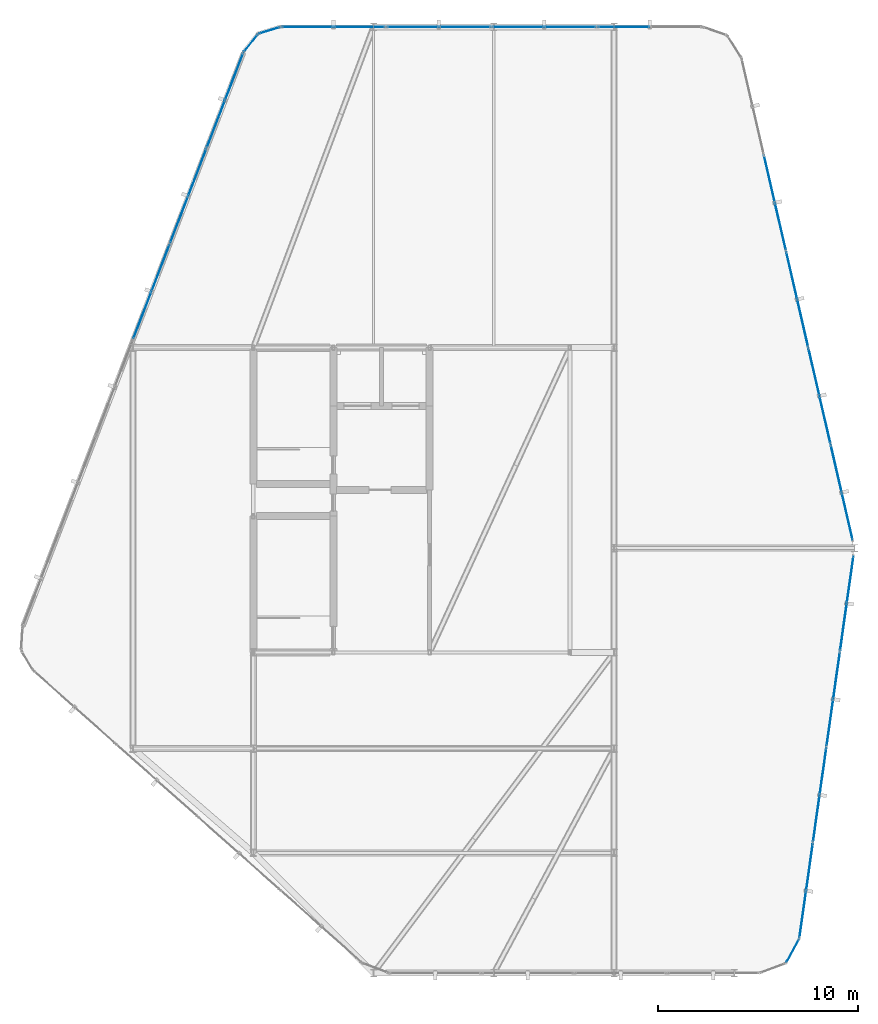
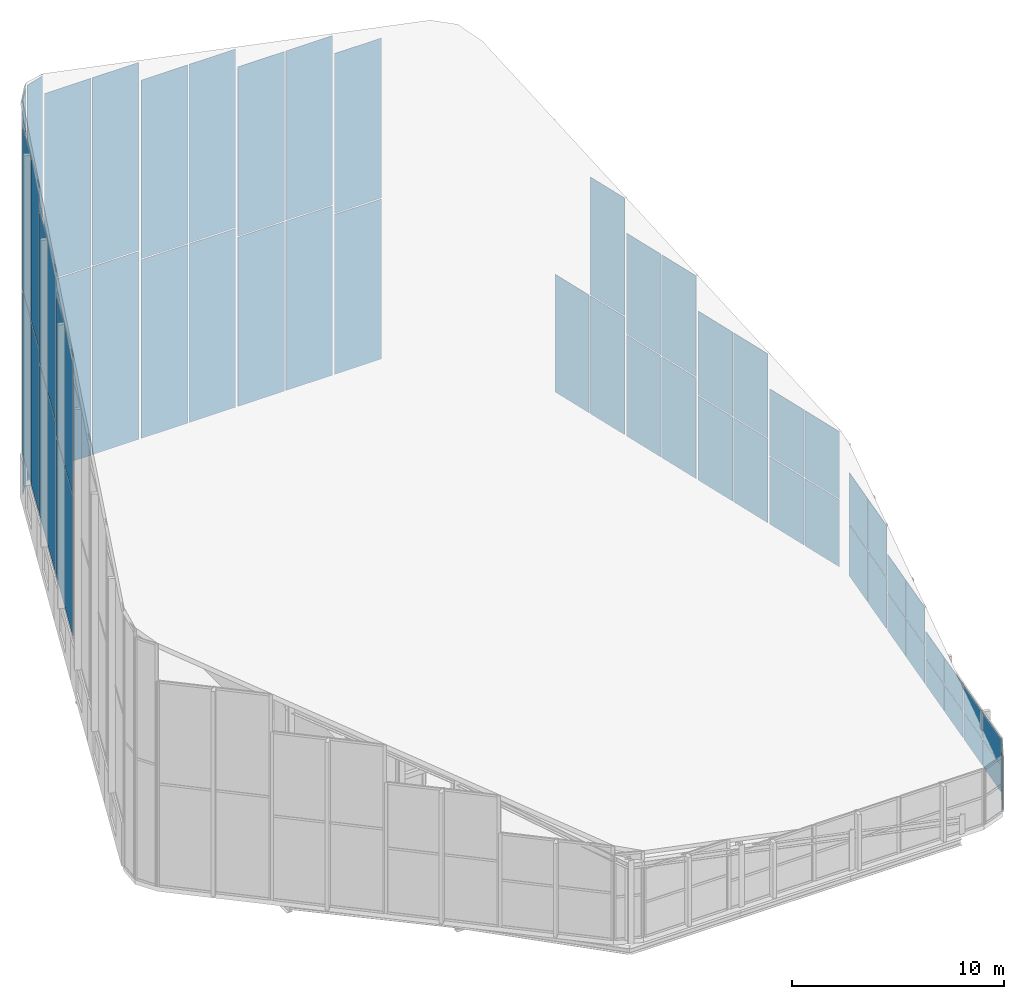
# One storey, part 72 of 74: 63 plates, 18 elements without a shape of their own.
"""IFC4 building model written with IfcOpenShell, lengths in metres."""

from ifc_helpers import new_model, si_unit, direction, frame, origin, origin_2d, place, context, subcontext, project, spatial, rectangle, extrude, material, layer, layer_set, type_object, element, aggregate, save


model = new_model("IFC4")

# Units and contexts
model_context = context("Model", 3, precision=1e-05, world=origin(), true_north=direction((0.0, 1.0)))
body_context = subcontext(model_context, "Body", "Model", "MODEL_VIEW")
ifc_project = project(units=[si_unit("LENGTHUNIT", "METRE"), si_unit("AREAUNIT", "SQUARE_METRE"), si_unit("VOLUMEUNIT", "CUBIC_METRE"), si_unit("PLANEANGLEUNIT", "RADIAN"), si_unit("MASSUNIT", "GRAM", prefix="KILO")], contexts=[model_context])

# Site, building, storey
site_placement = place(None, origin())
site = spatial("IfcSite", under=ifc_project, at=site_placement, CompositionType="ELEMENT")
building_placement = place(site_placement, origin())
building = spatial("IfcBuilding", under=site, at=building_placement, Name="Keshet Zoharim Tower", CompositionType="ELEMENT")
storey_placement = place(building_placement, frame((0.0, 0.0, 320.0)))
storey = spatial("IfcBuildingStorey", under=building, at=storey_placement, Name="RF", CompositionType="ELEMENT", Elevation=320.0)

# Curtain wall, plates
ifc_material_1 = material(Name="Aluminium 6063-T6", Category="aluminium")
ifc_layer_1 = layer(ifc_material_1, 0.260009765625)
ifc_layer_set_1 = layer_set([ifc_layer_1], Name="Aluminium 6063-T6")
curtain_wall_type = type_object("IfcCurtainWallType", Name="CW-SYS-06", PredefinedType="NOTDEFINED", material=ifc_layer_set_1)
curtain_wall_1_placement = place(storey_placement, origin())
curtain_wall_1 = element("IfcCurtainWall", 1, at=curtain_wall_1_placement, inside=storey, type_object=curtain_wall_type, Name="Slanted Crown Curtain Wall 06", PredefinedType="NOTDEFINED")
ifc_material_2 = material(Name="Insulated Low-E Clear Glass", Category="glass")
ifc_layer_2 = layer(ifc_material_2, 0.028076171875)
ifc_layer_set_2 = layer_set([ifc_layer_2], Name="Insulated Low-E Clear Glass")
plate_type = type_object("IfcPlateType", Name="CWP-03", PredefinedType="CURTAIN_PANEL", material=ifc_layer_set_2)
plate_1_placement = place(storey_placement, frame((9.466552734375, 39.513671875, 2.56494140625), z_axis=(0.0, 0.0, 1.0), x_axis=(0.359044636163, 0.933320389385, 0.0)))
plate_1 = element("IfcPlate", 2, at=plate_1_placement, type_object=plate_type, Name="CW-06 panel 1.1", PredefinedType="CURTAIN_PANEL", context=body_context, shape_type="SweptSolid", body=[
    extrude(rectangle(XDim=2.4580078125, YDim=0.028076171875, at=origin_2d()), origin(), (0.0, 0.0, 1.0), 8.056396484375),
])
plate_2_placement = place(storey_placement, frame((9.466552734375, 39.513671875, 10.6865234375), z_axis=(0.0, 0.0, 1.0), x_axis=(0.359044636163, 0.933320389385, 0.0)))
plate_2 = element("IfcPlate", 3, at=plate_2_placement, type_object=plate_type, Name="CW-06 panel 1.2", PredefinedType="CURTAIN_PANEL", context=body_context, shape_type="SweptSolid", body=[
    extrude(rectangle(XDim=2.4580078125, YDim=0.028076171875, at=origin_2d()), origin(), (0.0, 0.0, 1.0), 8.056396484375),
])
plate_3_placement = place(storey_placement, frame((10.372314453125, 41.868408203125, 2.56494140625), z_axis=(0.0, 0.0, 1.0), x_axis=(0.359044636163, 0.933320389385, 0.0)))
plate_3 = element("IfcPlate", 4, at=plate_3_placement, type_object=plate_type, Name="CW-06 panel 2.1", PredefinedType="CURTAIN_PANEL", context=body_context, shape_type="SweptSolid", body=[
    extrude(rectangle(XDim=2.4580078125, YDim=0.028076171875, at=origin_2d()), origin(), (0.0, 0.0, 1.0), 8.056396484375),
])
plate_4_placement = place(storey_placement, frame((10.372314453125, 41.868408203125, 10.6865234375), z_axis=(0.0, 0.0, 1.0), x_axis=(0.359044636163, 0.933320389385, 0.0)))
plate_4 = element("IfcPlate", 5, at=plate_4_placement, type_object=plate_type, Name="CW-06 panel 2.2", PredefinedType="CURTAIN_PANEL", context=body_context, shape_type="SweptSolid", body=[
    extrude(rectangle(XDim=2.4580078125, YDim=0.028076171875, at=origin_2d()), origin(), (0.0, 0.0, 1.0), 8.056396484375),
])
aggregate(curtain_wall_1, [plate_1, plate_2, plate_3, plate_4])

curtain_wall_2_placement = place(storey_placement, origin())
curtain_wall_2 = element("IfcCurtainWall", 6, at=curtain_wall_2_placement, inside=storey, type_object=curtain_wall_type, Name="Slanted Crown Curtain Wall 07", PredefinedType="NOTDEFINED")
plate_5_placement = place(storey_placement, frame((11.301513671875, 44.283935546875, 2.56494140625), z_axis=(0.0, 0.0, 1.0), x_axis=(0.358979079302, 0.933345606206, 0.0)))
plate_5 = element("IfcPlate", 7, at=plate_5_placement, type_object=plate_type, Name="CW-06 panel 1.1", PredefinedType="CURTAIN_PANEL", context=body_context, shape_type="SweptSolid", body=[
    extrude(rectangle(XDim=2.458251953125, YDim=0.028076171875, at=origin_2d()), origin(), (0.0, 0.0, 1.0), 8.719482421875),
])
plate_6_placement = place(storey_placement, frame((11.301513671875, 44.283935546875, 11.349609375), z_axis=(0.0, 0.0, 1.0), x_axis=(0.358979079302, 0.933345606206, 0.0)))
plate_6 = element("IfcPlate", 8, at=plate_6_placement, type_object=plate_type, Name="CW-06 panel 1.2", PredefinedType="CURTAIN_PANEL", context=body_context, shape_type="SweptSolid", body=[
    extrude(rectangle(XDim=2.458251953125, YDim=0.028076171875, at=origin_2d()), origin(), (0.0, 0.0, 1.0), 8.719482421875),
])
plate_7_placement = place(storey_placement, frame((12.20751953125, 46.63916015625, 2.56494140625), z_axis=(0.0, 0.0, 1.0), x_axis=(0.358979079302, 0.933345606206, 0.0)))
plate_7 = element("IfcPlate", 9, at=plate_7_placement, type_object=plate_type, Name="CW-06 panel 2.1", PredefinedType="CURTAIN_PANEL", context=body_context, shape_type="SweptSolid", body=[
    extrude(rectangle(XDim=2.458251953125, YDim=0.028076171875, at=origin_2d()), origin(), (0.0, 0.0, 1.0), 8.719482421875),
])
plate_8_placement = place(storey_placement, frame((12.20751953125, 46.63916015625, 11.349609375), z_axis=(0.0, 0.0, 1.0), x_axis=(0.358979079302, 0.933345606206, 0.0)))
plate_8 = element("IfcPlate", 10, at=plate_8_placement, type_object=plate_type, Name="CW-06 panel 2.2", PredefinedType="CURTAIN_PANEL", context=body_context, shape_type="SweptSolid", body=[
    extrude(rectangle(XDim=2.458251953125, YDim=0.028076171875, at=origin_2d()), origin(), (0.0, 0.0, 1.0), 8.719482421875),
])
aggregate(curtain_wall_2, [plate_5, plate_6, plate_7, plate_8])

curtain_wall_3_placement = place(storey_placement, origin())
curtain_wall_3 = element("IfcCurtainWall", 11, at=curtain_wall_3_placement, inside=storey, type_object=curtain_wall_type, Name="Slanted Crown Curtain Wall 08", PredefinedType="NOTDEFINED")
plate_9_placement = place(storey_placement, frame((13.136474609375, 49.054931640625, 2.56494140625), z_axis=(0.0, 0.0, 1.0), x_axis=(0.358979079302, 0.933345606206, 0.0)))
plate_9 = element("IfcPlate", 12, at=plate_9_placement, type_object=plate_type, Name="CW-06 panel 1.1", PredefinedType="CURTAIN_PANEL", context=body_context, shape_type="SweptSolid", body=[
    extrude(rectangle(XDim=2.458251953125, YDim=0.028076171875, at=origin_2d()), origin(), (0.0, 0.0, 1.0), 9.383544921875),
])
plate_10_placement = place(storey_placement, frame((13.136474609375, 49.054931640625, 12.013671875), z_axis=(0.0, 0.0, 1.0), x_axis=(0.358979079302, 0.933345606206, 0.0)))
plate_10 = element("IfcPlate", 13, at=plate_10_placement, type_object=plate_type, Name="CW-06 panel 1.2", PredefinedType="CURTAIN_PANEL", context=body_context, shape_type="SweptSolid", body=[
    extrude(rectangle(XDim=2.458251953125, YDim=0.028076171875, at=origin_2d()), origin(), (0.0, 0.0, 1.0), 9.382568359375),
])
plate_11_placement = place(storey_placement, frame((14.04248046875, 51.41015625, 2.56494140625), z_axis=(0.0, 0.0, 1.0), x_axis=(0.358979079302, 0.933345606206, 0.0)))
plate_11 = element("IfcPlate", 14, at=plate_11_placement, type_object=plate_type, Name="CW-06 panel 2.1", PredefinedType="CURTAIN_PANEL", context=body_context, shape_type="SweptSolid", body=[
    extrude(rectangle(XDim=2.458251953125, YDim=0.028076171875, at=origin_2d()), origin(), (0.0, 0.0, 1.0), 9.383544921875),
])
plate_12_placement = place(storey_placement, frame((14.04248046875, 51.41015625, 12.013671875), z_axis=(0.0, 0.0, 1.0), x_axis=(0.358979079302, 0.933345606206, 0.0)))
plate_12 = element("IfcPlate", 15, at=plate_12_placement, type_object=plate_type, Name="CW-06 panel 2.2", PredefinedType="CURTAIN_PANEL", context=body_context, shape_type="SweptSolid", body=[
    extrude(rectangle(XDim=2.458251953125, YDim=0.028076171875, at=origin_2d()), origin(), (0.0, 0.0, 1.0), 9.382568359375),
])
aggregate(curtain_wall_3, [plate_9, plate_10, plate_11, plate_12])

curtain_wall_4_placement = place(storey_placement, origin())
curtain_wall_4 = element("IfcCurtainWall", 16, at=curtain_wall_4_placement, inside=storey, type_object=curtain_wall_type, Name="Slanted Crown Curtain Wall 09", PredefinedType="NOTDEFINED")
plate_13_placement = place(storey_placement, frame((14.8740234375, 53.08349609375, 0.06494140625), z_axis=(0.0, 0.0, 1.0), x_axis=(0.619124525989, 0.785292825205, 0.0)))
plate_13 = element("IfcPlate", 17, at=plate_13_placement, type_object=plate_type, Name="CW-06 panel 1.1", PredefinedType="CURTAIN_PANEL", context=body_context, shape_type="SweptSolid", body=[
    extrude(rectangle(XDim=1.0556640625, YDim=0.028076171875, at=origin_2d()), origin(), (0.0, 0.0, 1.0), 11.29638671875),
])
plate_14_placement = place(storey_placement, frame((14.8740234375, 53.08349609375, 11.426513671875), z_axis=(0.0, 0.0, 1.0), x_axis=(0.619124525989, 0.785292825205, 0.0)))
plate_14 = element("IfcPlate", 18, at=plate_14_placement, type_object=plate_type, Name="CW-06 panel 1.2", PredefinedType="CURTAIN_PANEL", context=body_context, shape_type="SweptSolid", body=[
    extrude(rectangle(XDim=1.0556640625, YDim=0.028076171875, at=origin_2d()), origin(), (0.0, 0.0, 1.0), 11.29638671875),
])
aggregate(curtain_wall_4, [plate_13, plate_14])

curtain_wall_5_placement = place(storey_placement, origin())
curtain_wall_5 = element("IfcCurtainWall", 19, at=curtain_wall_5_placement, inside=storey, type_object=curtain_wall_type, Name="Slanted Crown Curtain Wall 10", PredefinedType="NOTDEFINED")
plate_15_placement = place(storey_placement, frame((15.8076171875, 53.724609375, 0.06494140625), z_axis=(0.0, 0.0, 1.0), x_axis=(0.955212151288, 0.295921857984, 0.0)))
plate_15 = element("IfcPlate", 20, at=plate_15_placement, type_object=plate_type, Name="CW-06 panel 1.1", PredefinedType="CURTAIN_PANEL", context=body_context, shape_type="SweptSolid", body=[
    extrude(rectangle(XDim=1.05615234375, YDim=0.028076171875, at=origin_2d()), origin(), (0.0, 0.0, 1.0), 11.33447265625),
])
plate_16_placement = place(storey_placement, frame((15.8076171875, 53.724609375, 11.464599609375), z_axis=(0.0, 0.0, 1.0), x_axis=(0.955212151288, 0.295921857984, 0.0)))
plate_16 = element("IfcPlate", 21, at=plate_16_placement, type_object=plate_type, Name="CW-06 panel 1.2", PredefinedType="CURTAIN_PANEL", context=body_context, shape_type="SweptSolid", body=[
    extrude(rectangle(XDim=1.05615234375, YDim=0.028076171875, at=origin_2d()), origin(), (0.0, 0.0, 1.0), 11.33447265625),
])
aggregate(curtain_wall_5, [plate_15, plate_16])

curtain_wall_6_placement = place(storey_placement, origin())
curtain_wall_6 = element("IfcCurtainWall", 22, at=curtain_wall_6_placement, inside=storey, type_object=curtain_wall_type, Name="Slanted Crown Curtain Wall 11", PredefinedType="NOTDEFINED")
plate_17_placement = place(storey_placement, frame((17.705078125, 53.89990234375, 0.06494140625), z_axis=(0.0, 0.0, 1.0), x_axis=(1.0, 0.0, 0.0)))
plate_17 = element("IfcPlate", 23, at=plate_17_placement, type_object=plate_type, Name="CW-06 panel 1.1", PredefinedType="CURTAIN_PANEL", context=body_context, shape_type="SweptSolid", body=[
    extrude(rectangle(XDim=2.531982421875, YDim=0.028076171875, at=origin_2d()), origin(), (0.0, 0.0, 1.0), 10.797607421875),
])
plate_18_placement = place(storey_placement, frame((17.705078125, 53.89990234375, 10.92724609375), z_axis=(0.0, 0.0, 1.0), x_axis=(1.0, 0.0, 0.0)))
plate_18 = element("IfcPlate", 24, at=plate_18_placement, type_object=plate_type, Name="CW-06 panel 1.2", PredefinedType="CURTAIN_PANEL", context=body_context, shape_type="SweptSolid", body=[
    extrude(rectangle(XDim=2.531982421875, YDim=0.028076171875, at=origin_2d()), origin(), (0.0, 0.0, 1.0), 10.798583984375),
])
plate_19_placement = place(storey_placement, frame((20.302001953125, 53.89990234375, 0.06494140625), z_axis=(0.0, 0.0, 1.0), x_axis=(1.0, 0.0, 0.0)))
plate_19 = element("IfcPlate", 25, at=plate_19_placement, type_object=plate_type, Name="CW-06 panel 2.1", PredefinedType="CURTAIN_PANEL", context=body_context, shape_type="SweptSolid", body=[
    extrude(rectangle(XDim=2.531982421875, YDim=0.028076171875, at=origin_2d()), origin(), (0.0, 0.0, 1.0), 10.797607421875),
])
plate_20_placement = place(storey_placement, frame((20.302001953125, 53.89990234375, 10.92724609375), z_axis=(0.0, 0.0, 1.0), x_axis=(1.0, 0.0, 0.0)))
plate_20 = element("IfcPlate", 26, at=plate_20_placement, type_object=plate_type, Name="CW-06 panel 2.2", PredefinedType="CURTAIN_PANEL", context=body_context, shape_type="SweptSolid", body=[
    extrude(rectangle(XDim=2.531982421875, YDim=0.028076171875, at=origin_2d()), origin(), (0.0, 0.0, 1.0), 10.798583984375),
])
aggregate(curtain_wall_6, [plate_17, plate_18, plate_19, plate_20])

curtain_wall_7_placement = place(storey_placement, origin())
curtain_wall_7 = element("IfcCurtainWall", 27, at=curtain_wall_7_placement, inside=storey, type_object=curtain_wall_type, Name="Slanted Crown Curtain Wall 12", PredefinedType="NOTDEFINED")
plate_21_placement = place(storey_placement, frame((22.964111328125, 53.89990234375, 0.06494140625), z_axis=(0.0, 0.0, 1.0), x_axis=(1.0, 0.0, 0.0)))
plate_21 = element("IfcPlate", 28, at=plate_21_placement, type_object=plate_type, Name="CW-06 panel 1.1", PredefinedType="CURTAIN_PANEL", context=body_context, shape_type="SweptSolid", body=[
    extrude(rectangle(XDim=2.531982421875, YDim=0.028076171875, at=origin_2d()), origin(), (0.0, 0.0, 1.0), 10.262451171875),
])
plate_22_placement = place(storey_placement, frame((22.964111328125, 53.89990234375, 10.392578125), z_axis=(0.0, 0.0, 1.0), x_axis=(1.0, 0.0, 0.0)))
plate_22 = element("IfcPlate", 29, at=plate_22_placement, type_object=plate_type, Name="CW-06 panel 1.2", PredefinedType="CURTAIN_PANEL", context=body_context, shape_type="SweptSolid", body=[
    extrude(rectangle(XDim=2.531982421875, YDim=0.028076171875, at=origin_2d()), origin(), (0.0, 0.0, 1.0), 10.261474609375),
])
plate_23_placement = place(storey_placement, frame((25.56103515625, 53.89990234375, 0.06494140625), z_axis=(0.0, 0.0, 1.0), x_axis=(1.0, 0.0, 0.0)))
plate_23 = element("IfcPlate", 30, at=plate_23_placement, type_object=plate_type, Name="CW-06 panel 2.1", PredefinedType="CURTAIN_PANEL", context=body_context, shape_type="SweptSolid", body=[
    extrude(rectangle(XDim=2.531982421875, YDim=0.028076171875, at=origin_2d()), origin(), (0.0, 0.0, 1.0), 10.262451171875),
])
plate_24_placement = place(storey_placement, frame((25.56103515625, 53.89990234375, 10.392578125), z_axis=(0.0, 0.0, 1.0), x_axis=(1.0, 0.0, 0.0)))
plate_24 = element("IfcPlate", 31, at=plate_24_placement, type_object=plate_type, Name="CW-06 panel 2.2", PredefinedType="CURTAIN_PANEL", context=body_context, shape_type="SweptSolid", body=[
    extrude(rectangle(XDim=2.531982421875, YDim=0.028076171875, at=origin_2d()), origin(), (0.0, 0.0, 1.0), 10.261474609375),
])
aggregate(curtain_wall_7, [plate_21, plate_22, plate_23, plate_24])

curtain_wall_8_placement = place(storey_placement, origin())
curtain_wall_8 = element("IfcCurtainWall", 32, at=curtain_wall_8_placement, inside=storey, type_object=curtain_wall_type, Name="Slanted Crown Curtain Wall 13", PredefinedType="NOTDEFINED")
plate_25_placement = place(storey_placement, frame((28.22265625, 53.89990234375, 0.06494140625), z_axis=(0.0, 0.0, 1.0), x_axis=(1.0, 0.0, 0.0)))
plate_25 = element("IfcPlate", 33, at=plate_25_placement, type_object=plate_type, Name="CW-06 panel 1.1", PredefinedType="CURTAIN_PANEL", context=body_context, shape_type="SweptSolid", body=[
    extrude(rectangle(XDim=2.531494140625, YDim=0.028076171875, at=origin_2d()), origin(), (0.0, 0.0, 1.0), 9.7255859375),
])
plate_26_placement = place(storey_placement, frame((28.22265625, 53.89990234375, 9.85546875), z_axis=(0.0, 0.0, 1.0), x_axis=(1.0, 0.0, 0.0)))
plate_26 = element("IfcPlate", 34, at=plate_26_placement, type_object=plate_type, Name="CW-06 panel 1.2", PredefinedType="CURTAIN_PANEL", context=body_context, shape_type="SweptSolid", body=[
    extrude(rectangle(XDim=2.531494140625, YDim=0.028076171875, at=origin_2d()), origin(), (0.0, 0.0, 1.0), 9.7255859375),
])
plate_27_placement = place(storey_placement, frame((30.8193359375, 53.89990234375, 0.06494140625), z_axis=(0.0, 0.0, 1.0), x_axis=(1.0, 0.0, 0.0)))
plate_27 = element("IfcPlate", 35, at=plate_27_placement, type_object=plate_type, Name="CW-06 panel 2.1", PredefinedType="CURTAIN_PANEL", context=body_context, shape_type="SweptSolid", body=[
    extrude(rectangle(XDim=2.531494140625, YDim=0.028076171875, at=origin_2d()), origin(), (0.0, 0.0, 1.0), 9.7255859375),
])
plate_28_placement = place(storey_placement, frame((30.8193359375, 53.89990234375, 9.85546875), z_axis=(0.0, 0.0, 1.0), x_axis=(1.0, 0.0, 0.0)))
plate_28 = element("IfcPlate", 36, at=plate_28_placement, type_object=plate_type, Name="CW-06 panel 2.2", PredefinedType="CURTAIN_PANEL", context=body_context, shape_type="SweptSolid", body=[
    extrude(rectangle(XDim=2.531494140625, YDim=0.028076171875, at=origin_2d()), origin(), (0.0, 0.0, 1.0), 9.7255859375),
])
aggregate(curtain_wall_8, [plate_25, plate_26, plate_27, plate_28])

curtain_wall_9_placement = place(storey_placement, origin())
curtain_wall_9 = element("IfcCurtainWall", 37, at=curtain_wall_9_placement, inside=storey, type_object=curtain_wall_type, Name="Slanted Crown Curtain Wall 14", PredefinedType="NOTDEFINED")
plate_29_placement = place(storey_placement, frame((33.48095703125, 53.89990234375, 0.06494140625), z_axis=(0.0, 0.0, 1.0), x_axis=(1.0, 0.0, 0.0)))
plate_29 = element("IfcPlate", 38, at=plate_29_placement, type_object=plate_type, Name="CW-06 panel 1.1", PredefinedType="CURTAIN_PANEL", context=body_context, shape_type="SweptSolid", body=[
    extrude(rectangle(XDim=2.531982421875, YDim=0.028076171875, at=origin_2d()), origin(), (0.0, 0.0, 1.0), 9.189453125),
])
plate_30_placement = place(storey_placement, frame((33.48095703125, 53.89990234375, 9.319580078125), z_axis=(0.0, 0.0, 1.0), x_axis=(1.0, 0.0, 0.0)))
plate_30 = element("IfcPlate", 39, at=plate_30_placement, type_object=plate_type, Name="CW-06 panel 1.2", PredefinedType="CURTAIN_PANEL", context=body_context, shape_type="SweptSolid", body=[
    extrude(rectangle(XDim=2.531982421875, YDim=0.028076171875, at=origin_2d()), origin(), (0.0, 0.0, 1.0), 9.189453125),
])
aggregate(curtain_wall_9, [plate_29, plate_30])

curtain_wall_10_placement = place(storey_placement, origin())
curtain_wall_10 = element("IfcCurtainWall", 40, at=curtain_wall_10_placement, inside=storey, type_object=curtain_wall_type, Name="Slanted Crown Curtain Wall 18", PredefinedType="NOTDEFINED")
plate_31_placement = place(storey_placement, frame((40.75146484375, 46.31201171875, 0.06494140625), z_axis=(0.0, 0.0, 1.0), x_axis=(0.224741314643, -0.974418463235, 0.0)))
plate_31 = element("IfcPlate", 41, at=plate_31_placement, type_object=plate_type, Name="CW-06 panel 1.1", PredefinedType="CURTAIN_PANEL", context=body_context, shape_type="SweptSolid", body=[
    extrude(rectangle(XDim=2.374267578125, YDim=0.028076171875, at=origin_2d()), origin(), (0.0, 0.0, 1.0), 6.7705078125),
])
plate_32_placement = place(storey_placement, frame((41.299560546875, 43.93505859375, 0.06494140625), z_axis=(0.0, 0.0, 1.0), x_axis=(0.224741314643, -0.974418463235, 0.0)))
plate_32 = element("IfcPlate", 42, at=plate_32_placement, type_object=plate_type, Name="CW-06 panel 2.1", PredefinedType="CURTAIN_PANEL", context=body_context, shape_type="SweptSolid", body=[
    extrude(rectangle(XDim=2.374267578125, YDim=0.028076171875, at=origin_2d()), origin(), (0.0, 0.0, 1.0), 6.7705078125),
])
plate_33_placement = place(storey_placement, frame((41.299560546875, 43.93505859375, 6.900390625), z_axis=(0.0, 0.0, 1.0), x_axis=(0.224741314643, -0.974418463235, 0.0)))
plate_33 = element("IfcPlate", 43, at=plate_33_placement, type_object=plate_type, Name="CW-06 panel 2.2", PredefinedType="CURTAIN_PANEL", context=body_context, shape_type="SweptSolid", body=[
    extrude(rectangle(XDim=2.374267578125, YDim=0.028076171875, at=origin_2d()), origin(), (0.0, 0.0, 1.0), 6.76953125),
])
aggregate(curtain_wall_10, [plate_31, plate_32, plate_33])

curtain_wall_11_placement = place(storey_placement, origin())
curtain_wall_11 = element("IfcCurtainWall", 44, at=curtain_wall_11_placement, inside=storey, type_object=curtain_wall_type, Name="Slanted Crown Curtain Wall 19", PredefinedType="NOTDEFINED")
plate_34_placement = place(storey_placement, frame((41.862548828125, 41.49462890625, 0.06494140625), z_axis=(0.0, 0.0, 1.0), x_axis=(0.224889047025, -0.974384378225, 0.0)))
plate_34 = element("IfcPlate", 45, at=plate_34_placement, type_object=plate_type, Name="CW-06 panel 1.1", PredefinedType="CURTAIN_PANEL", context=body_context, shape_type="SweptSolid", body=[
    extrude(rectangle(XDim=2.374755859375, YDim=0.028076171875, at=origin_2d()), origin(), (0.0, 0.0, 1.0), 5.797607421875),
])
plate_35_placement = place(storey_placement, frame((41.862548828125, 41.49462890625, 5.92724609375), z_axis=(0.0, 0.0, 1.0), x_axis=(0.224889047025, -0.974384378225, 0.0)))
plate_35 = element("IfcPlate", 46, at=plate_35_placement, type_object=plate_type, Name="CW-06 panel 1.2", PredefinedType="CURTAIN_PANEL", context=body_context, shape_type="SweptSolid", body=[
    extrude(rectangle(XDim=2.374755859375, YDim=0.028076171875, at=origin_2d()), origin(), (0.0, 0.0, 1.0), 5.797607421875),
])
plate_36_placement = place(storey_placement, frame((42.411376953125, 39.117431640625, 0.06494140625), z_axis=(0.0, 0.0, 1.0), x_axis=(0.224889047025, -0.974384378225, 0.0)))
plate_36 = element("IfcPlate", 47, at=plate_36_placement, type_object=plate_type, Name="CW-06 panel 2.1", PredefinedType="CURTAIN_PANEL", context=body_context, shape_type="SweptSolid", body=[
    extrude(rectangle(XDim=2.374755859375, YDim=0.028076171875, at=origin_2d()), origin(), (0.0, 0.0, 1.0), 5.797607421875),
])
plate_37_placement = place(storey_placement, frame((42.411376953125, 39.117431640625, 5.92724609375), z_axis=(0.0, 0.0, 1.0), x_axis=(0.224889047025, -0.974384378225, 0.0)))
plate_37 = element("IfcPlate", 48, at=plate_37_placement, type_object=plate_type, Name="CW-06 panel 2.2", PredefinedType="CURTAIN_PANEL", context=body_context, shape_type="SweptSolid", body=[
    extrude(rectangle(XDim=2.374755859375, YDim=0.028076171875, at=origin_2d()), origin(), (0.0, 0.0, 1.0), 5.797607421875),
])
aggregate(curtain_wall_11, [plate_34, plate_35, plate_36, plate_37])

curtain_wall_12_placement = place(storey_placement, origin())
curtain_wall_12 = element("IfcCurtainWall", 49, at=curtain_wall_12_placement, inside=storey, type_object=curtain_wall_type, Name="Slanted Crown Curtain Wall 20", PredefinedType="NOTDEFINED")
plate_38_placement = place(storey_placement, frame((42.974365234375, 36.677001953125, 0.06494140625), z_axis=(0.0, 0.0, 1.0), x_axis=(0.224741314643, -0.974418463235, 0.0)))
plate_38 = element("IfcPlate", 50, at=plate_38_placement, type_object=plate_type, Name="CW-06 panel 1.1", PredefinedType="CURTAIN_PANEL", context=body_context, shape_type="SweptSolid", body=[
    extrude(rectangle(XDim=2.374267578125, YDim=0.028076171875, at=origin_2d()), origin(), (0.0, 0.0, 1.0), 4.825439453125),
])
plate_39_placement = place(storey_placement, frame((42.974365234375, 36.677001953125, 4.95556640625), z_axis=(0.0, 0.0, 1.0), x_axis=(0.224741314643, -0.974418463235, 0.0)))
plate_39 = element("IfcPlate", 51, at=plate_39_placement, type_object=plate_type, Name="CW-06 panel 1.2", PredefinedType="CURTAIN_PANEL", context=body_context, shape_type="SweptSolid", body=[
    extrude(rectangle(XDim=2.374267578125, YDim=0.028076171875, at=origin_2d()), origin(), (0.0, 0.0, 1.0), 4.825439453125),
])
plate_40_placement = place(storey_placement, frame((43.522705078125, 34.300048828125, 0.06494140625), z_axis=(0.0, 0.0, 1.0), x_axis=(0.224741314643, -0.974418463235, 0.0)))
plate_40 = element("IfcPlate", 52, at=plate_40_placement, type_object=plate_type, Name="CW-06 panel 2.1", PredefinedType="CURTAIN_PANEL", context=body_context, shape_type="SweptSolid", body=[
    extrude(rectangle(XDim=2.374267578125, YDim=0.028076171875, at=origin_2d()), origin(), (0.0, 0.0, 1.0), 4.825439453125),
])
plate_41_placement = place(storey_placement, frame((43.522705078125, 34.300048828125, 4.95556640625), z_axis=(0.0, 0.0, 1.0), x_axis=(0.224741314643, -0.974418463235, 0.0)))
plate_41 = element("IfcPlate", 53, at=plate_41_placement, type_object=plate_type, Name="CW-06 panel 2.2", PredefinedType="CURTAIN_PANEL", context=body_context, shape_type="SweptSolid", body=[
    extrude(rectangle(XDim=2.374267578125, YDim=0.028076171875, at=origin_2d()), origin(), (0.0, 0.0, 1.0), 4.825439453125),
])
aggregate(curtain_wall_12, [plate_38, plate_39, plate_40, plate_41])

curtain_wall_13_placement = place(storey_placement, origin())
curtain_wall_13 = element("IfcCurtainWall", 54, at=curtain_wall_13_placement, inside=storey, type_object=curtain_wall_type, Name="Slanted Crown Curtain Wall 21", PredefinedType="NOTDEFINED")
plate_42_placement = place(storey_placement, frame((44.085693359375, 31.859619140625, 0.06494140625), z_axis=(0.0, 0.0, 1.0), x_axis=(0.224889047025, -0.974384378225, 0.0)))
plate_42 = element("IfcPlate", 55, at=plate_42_placement, type_object=plate_type, Name="CW-06 panel 1.1", PredefinedType="CURTAIN_PANEL", context=body_context, shape_type="SweptSolid", body=[
    extrude(rectangle(XDim=2.374755859375, YDim=0.028076171875, at=origin_2d()), origin(), (0.0, 0.0, 1.0), 3.853515625),
])
plate_43_placement = place(storey_placement, frame((44.085693359375, 31.859619140625, 3.9833984375), z_axis=(0.0, 0.0, 1.0), x_axis=(0.224889047025, -0.974384378225, 0.0)))
plate_43 = element("IfcPlate", 56, at=plate_43_placement, type_object=plate_type, Name="CW-06 panel 1.2", PredefinedType="CURTAIN_PANEL", context=body_context, shape_type="SweptSolid", body=[
    extrude(rectangle(XDim=2.374755859375, YDim=0.028076171875, at=origin_2d()), origin(), (0.0, 0.0, 1.0), 3.853515625),
])
plate_44_placement = place(storey_placement, frame((44.63427734375, 29.482421875, 0.06494140625), z_axis=(0.0, 0.0, 1.0), x_axis=(0.224889047025, -0.974384378225, 0.0)))
plate_44 = element("IfcPlate", 57, at=plate_44_placement, type_object=plate_type, Name="CW-06 panel 2.1", PredefinedType="CURTAIN_PANEL", context=body_context, shape_type="SweptSolid", body=[
    extrude(rectangle(XDim=2.374755859375, YDim=0.028076171875, at=origin_2d()), origin(), (0.0, 0.0, 1.0), 3.853515625),
])
plate_45_placement = place(storey_placement, frame((44.63427734375, 29.482421875, 3.9833984375), z_axis=(0.0, 0.0, 1.0), x_axis=(0.224889047025, -0.974384378225, 0.0)))
plate_45 = element("IfcPlate", 58, at=plate_45_placement, type_object=plate_type, Name="CW-06 panel 2.2", PredefinedType="CURTAIN_PANEL", context=body_context, shape_type="SweptSolid", body=[
    extrude(rectangle(XDim=2.374755859375, YDim=0.028076171875, at=origin_2d()), origin(), (0.0, 0.0, 1.0), 3.853515625),
])
aggregate(curtain_wall_13, [plate_42, plate_43, plate_44, plate_45])

curtain_wall_14_placement = place(storey_placement, origin())
curtain_wall_14 = element("IfcCurtainWall", 59, at=curtain_wall_14_placement, inside=storey, type_object=curtain_wall_type, Name="Slanted Crown Curtain Wall 22", PredefinedType="NOTDEFINED")
plate_46_placement = place(storey_placement, frame((44.776611328125, 26.3212890625, 0.06494140625), z_axis=(0.0, 0.0, 1.0), x_axis=(-0.140086674201, -0.990139244607, 0.0)))
plate_46 = element("IfcPlate", 60, at=plate_46_placement, type_object=plate_type, Name="CW-06 panel 1.1", PredefinedType="CURTAIN_PANEL", context=body_context, shape_type="SweptSolid", body=[
    extrude(rectangle(XDim=2.315185546875, YDim=0.028076171875, at=origin_2d()), origin(), (0.0, 0.0, 1.0), 2.9365234375),
])
plate_47_placement = place(storey_placement, frame((44.776611328125, 26.3212890625, 3.06640625), z_axis=(0.0, 0.0, 1.0), x_axis=(-0.140086674201, -0.990139244607, 0.0)))
plate_47 = element("IfcPlate", 61, at=plate_47_placement, type_object=plate_type, Name="CW-06 panel 1.2", PredefinedType="CURTAIN_PANEL", context=body_context, shape_type="SweptSolid", body=[
    extrude(rectangle(XDim=2.315185546875, YDim=0.028076171875, at=origin_2d()), origin(), (0.0, 0.0, 1.0), 2.9375),
])
plate_48_placement = place(storey_placement, frame((44.443359375, 23.964599609375, 0.06494140625), z_axis=(0.0, 0.0, 1.0), x_axis=(-0.140086674201, -0.990139244607, 0.0)))
plate_48 = element("IfcPlate", 62, at=plate_48_placement, type_object=plate_type, Name="CW-06 panel 2.1", PredefinedType="CURTAIN_PANEL", context=body_context, shape_type="SweptSolid", body=[
    extrude(rectangle(XDim=2.315185546875, YDim=0.028076171875, at=origin_2d()), origin(), (0.0, 0.0, 1.0), 2.9365234375),
])
plate_49_placement = place(storey_placement, frame((44.443359375, 23.964599609375, 3.06640625), z_axis=(0.0, 0.0, 1.0), x_axis=(-0.140086674201, -0.990139244607, 0.0)))
plate_49 = element("IfcPlate", 63, at=plate_49_placement, type_object=plate_type, Name="CW-06 panel 2.2", PredefinedType="CURTAIN_PANEL", context=body_context, shape_type="SweptSolid", body=[
    extrude(rectangle(XDim=2.315185546875, YDim=0.028076171875, at=origin_2d()), origin(), (0.0, 0.0, 1.0), 2.9375),
])
aggregate(curtain_wall_14, [plate_46, plate_47, plate_48, plate_49])

curtain_wall_15_placement = place(storey_placement, origin())
curtain_wall_15 = element("IfcCurtainWall", 64, at=curtain_wall_15_placement, inside=storey, type_object=curtain_wall_type, Name="Slanted Crown Curtain Wall 23", PredefinedType="NOTDEFINED")
plate_50_placement = place(storey_placement, frame((44.100830078125, 21.54345703125, 0.06494140625), z_axis=(0.0, 0.0, 1.0), x_axis=(-0.140086674201, -0.990139244607, 0.0)))
plate_50 = element("IfcPlate", 65, at=plate_50_placement, type_object=plate_type, Name="CW-06 panel 1.1", PredefinedType="CURTAIN_PANEL", context=body_context, shape_type="SweptSolid", body=[
    extrude(rectangle(XDim=2.315185546875, YDim=0.028076171875, at=origin_2d()), origin(), (0.0, 0.0, 1.0), 2.153564453125),
])
plate_51_placement = place(storey_placement, frame((44.100830078125, 21.54345703125, 2.28369140625), z_axis=(0.0, 0.0, 1.0), x_axis=(-0.140086674201, -0.990139244607, 0.0)))
plate_51 = element("IfcPlate", 66, at=plate_51_placement, type_object=plate_type, Name="CW-06 panel 1.2", PredefinedType="CURTAIN_PANEL", context=body_context, shape_type="SweptSolid", body=[
    extrude(rectangle(XDim=2.315185546875, YDim=0.028076171875, at=origin_2d()), origin(), (0.0, 0.0, 1.0), 2.154541015625),
])
plate_52_placement = place(storey_placement, frame((43.767333984375, 19.1865234375, 0.06494140625), z_axis=(0.0, 0.0, 1.0), x_axis=(-0.140086674201, -0.990139244607, 0.0)))
plate_52 = element("IfcPlate", 67, at=plate_52_placement, type_object=plate_type, Name="CW-06 panel 2.1", PredefinedType="CURTAIN_PANEL", context=body_context, shape_type="SweptSolid", body=[
    extrude(rectangle(XDim=2.315185546875, YDim=0.028076171875, at=origin_2d()), origin(), (0.0, 0.0, 1.0), 2.153564453125),
])
plate_53_placement = place(storey_placement, frame((43.767333984375, 19.1865234375, 2.28369140625), z_axis=(0.0, 0.0, 1.0), x_axis=(-0.140086674201, -0.990139244607, 0.0)))
plate_53 = element("IfcPlate", 68, at=plate_53_placement, type_object=plate_type, Name="CW-06 panel 2.2", PredefinedType="CURTAIN_PANEL", context=body_context, shape_type="SweptSolid", body=[
    extrude(rectangle(XDim=2.315185546875, YDim=0.028076171875, at=origin_2d()), origin(), (0.0, 0.0, 1.0), 2.154541015625),
])
aggregate(curtain_wall_15, [plate_50, plate_51, plate_52, plate_53])

curtain_wall_16_placement = place(storey_placement, origin())
curtain_wall_16 = element("IfcCurtainWall", 69, at=curtain_wall_16_placement, inside=storey, type_object=curtain_wall_type, Name="Slanted Crown Curtain Wall 24", PredefinedType="NOTDEFINED")
plate_54_placement = place(storey_placement, frame((43.424560546875, 16.765380859375, 0.06494140625), z_axis=(0.0, 0.0, 1.0), x_axis=(-0.14028982745, -0.990110480863, 0.0)))
plate_54 = element("IfcPlate", 70, at=plate_54_placement, type_object=plate_type, Name="CW-06 panel 1.1", PredefinedType="CURTAIN_PANEL", context=body_context, shape_type="SweptSolid", body=[
    extrude(rectangle(XDim=2.3154296875, YDim=0.028076171875, at=origin_2d()), origin(), (0.0, 0.0, 1.0), 1.50244140625),
])
plate_55_placement = place(storey_placement, frame((43.424560546875, 16.765380859375, 1.632568359375), z_axis=(0.0, 0.0, 1.0), x_axis=(-0.14028982745, -0.990110480863, 0.0)))
plate_55 = element("IfcPlate", 71, at=plate_55_placement, type_object=plate_type, Name="CW-06 panel 1.2", PredefinedType="CURTAIN_PANEL", context=body_context, shape_type="SweptSolid", body=[
    extrude(rectangle(XDim=2.3154296875, YDim=0.028076171875, at=origin_2d()), origin(), (0.0, 0.0, 1.0), 1.50244140625),
])
plate_56_placement = place(storey_placement, frame((43.090576171875, 14.40869140625, 0.06494140625), z_axis=(0.0, 0.0, 1.0), x_axis=(-0.14028982745, -0.990110480863, 0.0)))
plate_56 = element("IfcPlate", 72, at=plate_56_placement, type_object=plate_type, Name="CW-06 panel 2.1", PredefinedType="CURTAIN_PANEL", context=body_context, shape_type="SweptSolid", body=[
    extrude(rectangle(XDim=2.3154296875, YDim=0.028076171875, at=origin_2d()), origin(), (0.0, 0.0, 1.0), 1.50244140625),
])
plate_57_placement = place(storey_placement, frame((43.090576171875, 14.40869140625, 1.632568359375), z_axis=(0.0, 0.0, 1.0), x_axis=(-0.14028982745, -0.990110480863, 0.0)))
plate_57 = element("IfcPlate", 73, at=plate_57_placement, type_object=plate_type, Name="CW-06 panel 2.2", PredefinedType="CURTAIN_PANEL", context=body_context, shape_type="SweptSolid", body=[
    extrude(rectangle(XDim=2.3154296875, YDim=0.028076171875, at=origin_2d()), origin(), (0.0, 0.0, 1.0), 1.50244140625),
])
aggregate(curtain_wall_16, [plate_54, plate_55, plate_56, plate_57])

curtain_wall_17_placement = place(storey_placement, origin())
curtain_wall_17 = element("IfcCurtainWall", 74, at=curtain_wall_17_placement, inside=storey, type_object=curtain_wall_type, Name="Slanted Crown Curtain Wall 25", PredefinedType="NOTDEFINED")
plate_58_placement = place(storey_placement, frame((42.747802734375, 11.9873046875, 0.06494140625), z_axis=(0.0, 0.0, 1.0), x_axis=(-0.140086674201, -0.990139244607, 0.0)))
plate_58 = element("IfcPlate", 75, at=plate_58_placement, type_object=plate_type, Name="CW-06 panel 1.1", PredefinedType="CURTAIN_PANEL", context=body_context, shape_type="SweptSolid", body=[
    extrude(rectangle(XDim=2.315185546875, YDim=0.028076171875, at=origin_2d()), origin(), (0.0, 0.0, 1.0), 1.50244140625),
])
plate_59_placement = place(storey_placement, frame((42.747802734375, 11.9873046875, 1.632568359375), z_axis=(0.0, 0.0, 1.0), x_axis=(-0.140086674201, -0.990139244607, 0.0)))
plate_59 = element("IfcPlate", 76, at=plate_59_placement, type_object=plate_type, Name="CW-06 panel 1.2", PredefinedType="CURTAIN_PANEL", context=body_context, shape_type="SweptSolid", body=[
    extrude(rectangle(XDim=2.315185546875, YDim=0.028076171875, at=origin_2d()), origin(), (0.0, 0.0, 1.0), 1.50244140625),
])
plate_60_placement = place(storey_placement, frame((42.414306640625, 9.630615234375, 0.06494140625), z_axis=(0.0, 0.0, 1.0), x_axis=(-0.140086674201, -0.990139244607, 0.0)))
plate_60 = element("IfcPlate", 77, at=plate_60_placement, type_object=plate_type, Name="CW-06 panel 2.1", PredefinedType="CURTAIN_PANEL", context=body_context, shape_type="SweptSolid", body=[
    extrude(rectangle(XDim=2.315185546875, YDim=0.028076171875, at=origin_2d()), origin(), (0.0, 0.0, 1.0), 1.50244140625),
])
plate_61_placement = place(storey_placement, frame((42.414306640625, 9.630615234375, 1.632568359375), z_axis=(0.0, 0.0, 1.0), x_axis=(-0.140086674201, -0.990139244607, 0.0)))
plate_61 = element("IfcPlate", 78, at=plate_61_placement, type_object=plate_type, Name="CW-06 panel 2.2", PredefinedType="CURTAIN_PANEL", context=body_context, shape_type="SweptSolid", body=[
    extrude(rectangle(XDim=2.315185546875, YDim=0.028076171875, at=origin_2d()), origin(), (0.0, 0.0, 1.0), 1.50244140625),
])
aggregate(curtain_wall_17, [plate_58, plate_59, plate_60, plate_61])

curtain_wall_18_placement = place(storey_placement, origin())
curtain_wall_18 = element("IfcCurtainWall", 79, at=curtain_wall_18_placement, inside=storey, type_object=curtain_wall_type, Name="Slanted Crown Curtain Wall 26", PredefinedType="NOTDEFINED")
plate_62_placement = place(storey_placement, frame((41.908447265625, 7.804931640625, 0.06494140625), z_axis=(0.0, 0.0, 1.0), x_axis=(-0.477800955789, -0.878468125004, 0.0)))
plate_62 = element("IfcPlate", 80, at=plate_62_placement, type_object=plate_type, Name="CW-06 panel 1.1", PredefinedType="CURTAIN_PANEL", context=body_context, shape_type="SweptSolid", body=[
    extrude(rectangle(XDim=1.270263671875, YDim=0.028076171875, at=origin_2d()), origin(), (0.0, 0.0, 1.0), 1.50244140625),
])
plate_63_placement = place(storey_placement, frame((41.908447265625, 7.804931640625, 1.632568359375), z_axis=(0.0, 0.0, 1.0), x_axis=(-0.477800955789, -0.878468125004, 0.0)))
plate_63 = element("IfcPlate", 81, at=plate_63_placement, type_object=plate_type, Name="CW-06 panel 1.2", PredefinedType="CURTAIN_PANEL", context=body_context, shape_type="SweptSolid", body=[
    extrude(rectangle(XDim=1.270263671875, YDim=0.028076171875, at=origin_2d()), origin(), (0.0, 0.0, 1.0), 1.50244140625),
])
aggregate(curtain_wall_18, [plate_62, plate_63])

save(model, "model.ifc")
